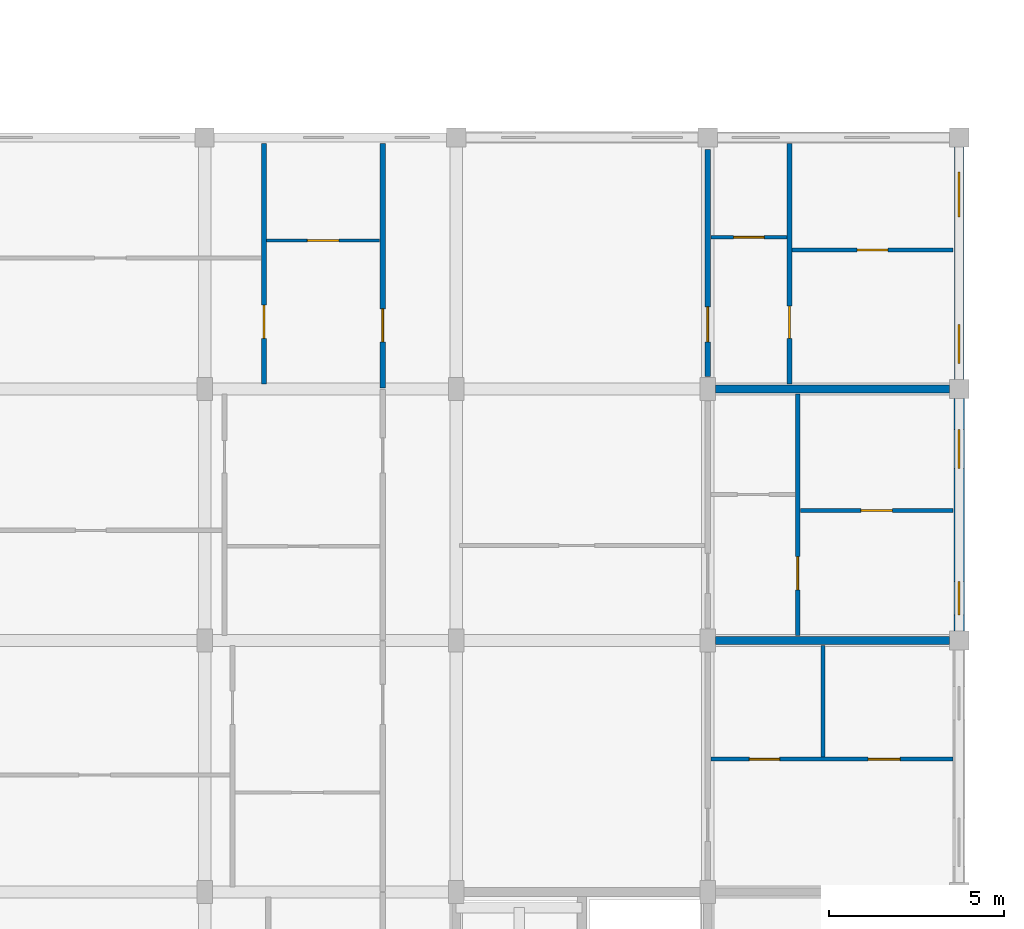
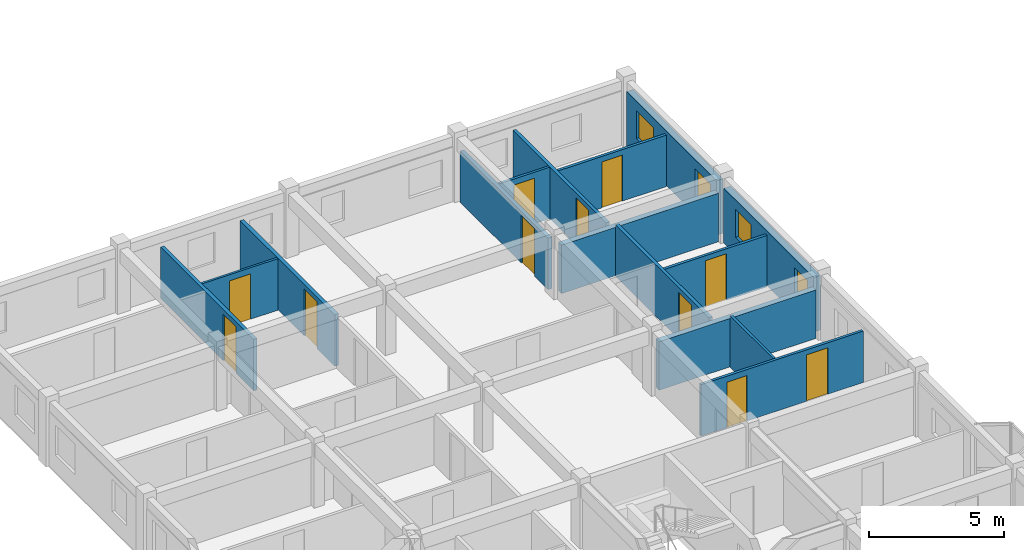
# One storey, part 64 of 77: 15 walls, 11 doors, 4 windows, 15 openings.
"""IFC4 building model written with IfcOpenShell, lengths in metres."""

from ifc_helpers import new_model, si_unit, direction, frame, frame_2d, origin, place, context, subcontext, project, spatial, rectangle, extrude, material, layer, layer_set, type_object, element, fill, save


model = new_model("IFC4")

# Units and contexts
model_context = context("Model", 3, precision=1e-05, world=origin(), true_north=direction((0.0, 1.0)))
body_context = subcontext(model_context, "Body", "Model", "MODEL_VIEW")
ifc_project = project(units=[si_unit("LENGTHUNIT", "METRE"), si_unit("AREAUNIT", "SQUARE_METRE"), si_unit("VOLUMEUNIT", "CUBIC_METRE"), si_unit("PLANEANGLEUNIT", "RADIAN"), si_unit("MASSUNIT", "GRAM", prefix="KILO"), si_unit("THERMODYNAMICTEMPERATUREUNIT", "KELVIN"), si_unit("POWERUNIT", "WATT")], contexts=[model_context])

# Site, building, storey
site_placement = place(None, origin())
site = spatial("IfcSite", under=ifc_project, at=site_placement, CompositionType="ELEMENT")
building_placement = place(site_placement, origin())
building = spatial("IfcBuilding", under=site, at=building_placement, Name="Tavuni Mirador Residences", CompositionType="ELEMENT")
storey_placement = place(building_placement, frame((0.0, 0.0, 17.10009765625)))
storey = spatial("IfcBuildingStorey", under=building, at=storey_placement, Name="L05", CompositionType="ELEMENT", Elevation=17.10009765625)

# Wall, opening, door
ifc_material_1 = material(Name="Precast concrete C40/50", Category="concrete")
ifc_layer_1 = layer(ifc_material_1, 0.1650390625, Name="Precast concrete C40/50", Category="concrete")
ifc_layer_set_1 = layer_set([ifc_layer_1], Name="Precast concrete C40/50")
wall_type_1 = type_object("IfcWallType", Name="WT-CORR165", PredefinedType="PARTITIONING", material=ifc_layer_set_1)
wall_1_placement = place(storey_placement, frame((102.300048828125, 129.6201171875, 0.0), z_axis=(0.0, 0.0, 1.0), x_axis=(0.0, 1.0, 0.0)))
wall_1 = element("IfcWall", 1, at=wall_1_placement, inside=storey, type_object=wall_type_1, Name="CORW-BLK-D-L05-0-06", PredefinedType="PARTITIONING", context=body_context, shape_type="SweptSolid", body=[
    extrude(rectangle(XDim=7.0048828125, YDim=0.1650390625, at=frame_2d((3.50244140625, 0.0))), origin(), (0.0, 0.0, 1.0), 2.324951171875),
])
opening_1_placement = place(wall_1_placement, frame((1.330078125, 0.0, 0.0)))
opening_1 = element("IfcOpeningElement", 2, at=opening_1_placement, cuts=wall_1, Name="Opening D-19", PredefinedType="OPENING", context=body_context, shape_type="SweptSolid", body=[
    extrude(rectangle(XDim=0.93994140625, YDim=2.1201171875, at=frame_2d((0.469970703125, 1.06005859375))), frame((0.0, 0.092529296875, 0.0), z_axis=(0.0, -1.0, 0.0), x_axis=(1.0, 0.0, 0.0)), (0.0, 0.0, 1.0), 0.18505859375),
])
ifc_material_2 = material(Name="Solid core iroko timber", Category="wood")
door_type_1 = type_object("IfcDoorType", Name="DT-FD60-940", OperationType="NOTDEFINED", PredefinedType="DOOR", material=ifc_material_2)
door_1_placement = place(opening_1_placement, origin())
door_1 = element("IfcDoor", 3, at=door_1_placement, inside=storey, type_object=door_type_1, Name="DR-2875", OperationType="SINGLE_SWING_RIGHT", OverallHeight=2.1201171875, OverallWidth=0.93994140625, PredefinedType="DOOR", context=body_context, shape_type="SweptSolid", body=[
    extrude(rectangle(XDim=0.93994140625, YDim=2.1201171875, at=frame_2d((0.469970703125, 1.06005859375))), frame((0.0, 0.02490234375, 0.0), z_axis=(0.0, -1.0, 0.0), x_axis=(1.0, 0.0, 0.0)), (0.0, 0.0, 1.0), 0.050048828125),
])
fill(opening_1, door_1)

wall_2_placement = place(storey_placement, frame((111.60009765625, 129.949951171875, 0.0), z_axis=(0.0, 0.0, 1.0), x_axis=(0.0, 1.0, 0.0)))
wall_2 = element("IfcWall", 4, at=wall_2_placement, inside=storey, type_object=wall_type_1, Name="CORW-BLK-D-L05-1-06", PredefinedType="PARTITIONING", context=body_context, shape_type="SweptSolid", body=[
    extrude(rectangle(XDim=6.5, YDim=0.1650390625, at=frame_2d((3.25, 0.0))), origin(), (0.0, 0.0, 1.0), 2.324951171875),
])
opening_2_placement = place(wall_2_placement, frame((1.0, 0.0, 0.0)))
opening_2 = element("IfcOpeningElement", 5, at=opening_2_placement, cuts=wall_2, Name="Opening D-03", PredefinedType="OPENING", context=body_context, shape_type="SweptSolid", body=[
    extrude(rectangle(XDim=1.0, YDim=2.14990234375, at=frame_2d((0.5, 1.074951171875))), frame((0.0, 0.092529296875, 0.0), z_axis=(0.0, -1.0, 0.0), x_axis=(1.0, 0.0, 0.0)), (0.0, 0.0, 1.0), 0.18505859375),
])
door_type_2 = type_object("IfcDoorType", Name="DT-FD60-1000", OperationType="NOTDEFINED", PredefinedType="DOOR", material=ifc_material_2)
door_2_placement = place(opening_2_placement, origin())
door_2 = element("IfcDoor", 6, at=door_2_placement, inside=storey, type_object=door_type_2, Name="DR-2880", OperationType="SINGLE_SWING_LEFT", OverallHeight=2.14990234375, OverallWidth=1.0, PredefinedType="DOOR", context=body_context, shape_type="SweptSolid", body=[
    extrude(rectangle(XDim=1.0, YDim=2.14990234375, at=frame_2d((0.5, 1.074951171875))), frame((0.0, 0.02490234375, 0.0), z_axis=(0.0, -1.0, 0.0), x_axis=(1.0, 0.0, 0.0)), (0.0, 0.0, 1.0), 0.050048828125),
])
fill(opening_2, door_2)

# Wall, openings, windows
ifc_material_3 = material(Name="Sgraffito lime-rendered precast concrete C40/50", Category="concrete")
ifc_layer_2 = layer(ifc_material_3, 0.27490234375, Name="Sgraffito lime-rendered precast concrete C40/50", Category="concrete")
ifc_layer_set_2 = layer_set([ifc_layer_2], Name="Sgraffito lime-rendered precast concrete C40/50")
wall_type_2 = type_object("IfcWallType", Name="WT-EXT-PC275", PredefinedType="SOLIDWALL", material=ifc_layer_set_2)
wall_3_placement = place(storey_placement, frame((118.800048828125, 129.875, 0.0), z_axis=(0.0, 0.0, 1.0), x_axis=(0.0, 1.0, 0.0)))
wall_3 = element("IfcWall", 7, at=wall_3_placement, inside=storey, type_object=wall_type_2, Name="EW-BLK-D-L05-E06", PredefinedType="SOLIDWALL", context=body_context, shape_type="SweptSolid", body=[
    extrude(rectangle(XDim=6.64990234375, YDim=0.27490234375, at=frame_2d((3.324951171875, 0.0))), origin(), (0.0, 0.0, 1.0), 2.4599609375),
])
opening_3_placement = place(wall_3_placement, frame((0.449951171875, 0.0, 0.780029296875)))
opening_3 = element("IfcOpeningElement", 8, at=opening_3_placement, cuts=wall_3, Name="Opening WN-12", PredefinedType="OPENING", context=body_context, shape_type="SweptSolid", body=[
    extrude(rectangle(XDim=1.1201171875, YDim=1.260009765625, at=frame_2d((0.56005859375, 0.6298828125))), frame((0.0, 0.1474609375, 0.0), z_axis=(0.0, -1.0, 0.0), x_axis=(1.0, 0.0, 0.0)), (0.0, 0.0, 1.0), 0.294921875),
])
opening_4_placement = place(wall_3_placement, frame((4.64990234375, 0.0, 0.780029296875)))
opening_4 = element("IfcOpeningElement", 9, at=opening_4_placement, cuts=wall_3, Name="Opening WN-14", PredefinedType="OPENING", context=body_context, shape_type="SweptSolid", body=[
    extrude(rectangle(XDim=1.280029296875, YDim=1.260009765625, at=frame_2d((0.64013671875, 0.6298828125))), frame((0.0, 0.1474609375, 0.0), z_axis=(0.0, -1.0, 0.0), x_axis=(1.0, 0.0, 0.0)), (0.0, 0.0, 1.0), 0.294921875),
])
ifc_material_4 = material(Name="Laminated solar-control glass", Category="glass")
window_type_1 = type_object("IfcWindowType", Name="WNT-12", PartitioningType="SINGLE_PANEL", PredefinedType="WINDOW", material=ifc_material_4)
window_1_placement = place(opening_3_placement, origin())
window_1 = element("IfcWindow", 10, at=window_1_placement, inside=storey, type_object=window_type_1, Name="WIN-1626", OverallHeight=1.260009765625, OverallWidth=1.1201171875, PartitioningType="SINGLE_PANEL", PredefinedType="WINDOW", context=body_context, shape_type="SweptSolid", body=[
    extrude(rectangle(XDim=1.1201171875, YDim=1.260009765625, at=frame_2d((0.56005859375, 0.6298828125))), frame((0.0, 0.030029296875, 0.0), z_axis=(0.0, -1.0, 0.0), x_axis=(1.0, 0.0, 0.0)), (0.0, 0.0, 1.0), 0.06005859375),
])
fill(opening_3, window_1)
window_type_2 = type_object("IfcWindowType", Name="WNT-14", PartitioningType="SINGLE_PANEL", PredefinedType="WINDOW", material=ifc_material_4)
window_2_placement = place(opening_4_placement, origin())
window_2 = element("IfcWindow", 11, at=window_2_placement, inside=storey, type_object=window_type_2, Name="WIN-1627", OverallHeight=1.260009765625, OverallWidth=1.280029296875, PartitioningType="SINGLE_PANEL", PredefinedType="WINDOW", context=body_context, shape_type="SweptSolid", body=[
    extrude(rectangle(XDim=1.280029296875, YDim=1.260009765625, at=frame_2d((0.64013671875, 0.6298828125))), frame((0.0, 0.030029296875, 0.0), z_axis=(0.0, -1.0, 0.0), x_axis=(1.0, 0.0, 0.0)), (0.0, 0.0, 1.0), 0.06005859375),
])
fill(opening_4, window_2)

ifc_layer_3 = layer(ifc_material_3, 0.2900390625, Name="Sgraffito lime-rendered precast concrete C40/50", Category="concrete")
ifc_layer_set_3 = layer_set([ifc_layer_3], Name="Sgraffito lime-rendered precast concrete C40/50")
wall_type_3 = type_object("IfcWallType", Name="WT-EXT-PC290", PredefinedType="SOLIDWALL", material=ifc_layer_set_3)
wall_4_placement = place(storey_placement, frame((118.800048828125, 122.675048828125, 0.0), z_axis=(0.0, 0.0, 1.0), x_axis=(0.0, 1.0, 0.0)))
wall_4 = element("IfcWall", 12, at=wall_4_placement, inside=storey, type_object=wall_type_3, Name="EW-BLK-D-L05-E05", PredefinedType="SOLIDWALL", context=body_context, shape_type="SweptSolid", body=[
    extrude(rectangle(XDim=6.64990234375, YDim=0.2900390625, at=frame_2d((3.324951171875, 0.0))), origin(), (0.0, 0.0, 1.0), 2.4599609375),
])
opening_5_placement = place(wall_4_placement, frame((0.449951171875, 0.0, 0.780029296875)))
opening_5 = element("IfcOpeningElement", 13, at=opening_5_placement, cuts=wall_4, Name="Opening WN-10", PredefinedType="OPENING", context=body_context, shape_type="SweptSolid", body=[
    extrude(rectangle(XDim=0.9599609375, YDim=1.260009765625, at=frame_2d((0.47998046875, 0.6298828125))), frame((0.0, 0.155029296875, 0.0), z_axis=(0.0, -1.0, 0.0), x_axis=(1.0, 0.0, 0.0)), (0.0, 0.0, 1.0), 0.31005859375),
])
opening_6_placement = place(wall_4_placement, frame((4.64990234375, 0.0, 0.780029296875)))
opening_6 = element("IfcOpeningElement", 14, at=opening_6_placement, cuts=wall_4, Name="Opening WN-12", PredefinedType="OPENING", context=body_context, shape_type="SweptSolid", body=[
    extrude(rectangle(XDim=1.1201171875, YDim=1.260009765625, at=frame_2d((0.56005859375, 0.6298828125))), frame((0.0, 0.155029296875, 0.0), z_axis=(0.0, -1.0, 0.0), x_axis=(1.0, 0.0, 0.0)), (0.0, 0.0, 1.0), 0.31005859375),
])
window_type_3 = type_object("IfcWindowType", Name="WNT-10", PartitioningType="SINGLE_PANEL", PredefinedType="WINDOW", material=ifc_material_4)
window_3_placement = place(opening_5_placement, origin())
window_3 = element("IfcWindow", 15, at=window_3_placement, inside=storey, type_object=window_type_3, Name="WIN-1624", OverallHeight=1.260009765625, OverallWidth=0.9599609375, PartitioningType="SINGLE_PANEL", PredefinedType="WINDOW", context=body_context, shape_type="SweptSolid", body=[
    extrude(rectangle(XDim=0.9599609375, YDim=1.260009765625, at=frame_2d((0.47998046875, 0.6298828125))), frame((0.0, 0.030029296875, 0.0), z_axis=(0.0, -1.0, 0.0), x_axis=(1.0, 0.0, 0.0)), (0.0, 0.0, 1.0), 0.06005859375),
])
fill(opening_5, window_3)
window_4_placement = place(opening_6_placement, origin())
window_4 = element("IfcWindow", 16, at=window_4_placement, inside=storey, type_object=window_type_1, Name="WIN-1625", OverallHeight=1.260009765625, OverallWidth=1.1201171875, PartitioningType="SINGLE_PANEL", PredefinedType="WINDOW", context=body_context, shape_type="SweptSolid", body=[
    extrude(rectangle(XDim=1.1201171875, YDim=1.260009765625, at=frame_2d((0.56005859375, 0.6298828125))), frame((0.0, 0.030029296875, 0.0), z_axis=(0.0, -1.0, 0.0), x_axis=(1.0, 0.0, 0.0)), (0.0, 0.0, 1.0), 0.06005859375),
])
fill(opening_6, window_4)

# Wall, opening, door
ifc_material_5 = material(Name="Acoustic gypsum and concrete block partition", Category="concrete")
ifc_layer_4 = layer(ifc_material_5, 0.094970703125, Name="Acoustic gypsum and concrete block partition", Category="concrete")
ifc_layer_set_4 = layer_set([ifc_layer_4], Name="Acoustic gypsum and concrete block partition")
wall_type_4 = type_object("IfcWallType", Name="WT-PART095", PredefinedType="PARTITIONING", material=ifc_layer_set_4)
wall_5_placement = place(storey_placement, frame((98.969970703125, 133.85009765625, 0.0), z_axis=(0.0, 0.0, 1.0), x_axis=(1.0, 0.0, 0.0)))
wall_5 = element("IfcWall", 17, at=wall_5_placement, inside=storey, type_object=wall_type_4, Name="PW-BLK-D-L05-W06-IN1", PredefinedType="PARTITIONING", context=body_context, shape_type="SweptSolid", body=[
    extrude(rectangle(XDim=3.239990234375, YDim=0.094970703125, at=frame_2d((1.6201171875, 0.0))), origin(), (0.0, 0.0, 1.0), 2.324951171875),
])
opening_7_placement = place(wall_5_placement, frame((1.169921875, 0.0, 0.0)))
opening_7 = element("IfcOpeningElement", 18, at=opening_7_placement, cuts=wall_5, Name="Opening D-09", PredefinedType="OPENING", context=body_context, shape_type="SweptSolid", body=[
    extrude(rectangle(XDim=0.89990234375, YDim=2.050048828125, at=frame_2d((0.449951171875, 1.02490234375))), frame((0.0, 0.0576171875, 0.0), z_axis=(0.0, -1.0, 0.0), x_axis=(1.0, 0.0, 0.0)), (0.0, 0.0, 1.0), 0.114990234375),
])
door_type_3 = type_object("IfcDoorType", Name="DT-WC900", OperationType="NOTDEFINED", PredefinedType="DOOR", material=ifc_material_2)
door_3_placement = place(opening_7_placement, origin())
door_3 = element("IfcDoor", 19, at=door_3_placement, inside=storey, type_object=door_type_3, Name="DR-4504", OperationType="SINGLE_SWING_RIGHT", OverallHeight=2.050048828125, OverallWidth=0.89990234375, PredefinedType="DOOR", context=body_context, shape_type="SweptSolid", body=[
    extrude(rectangle(XDim=0.89990234375, YDim=2.050048828125, at=frame_2d((0.449951171875, 1.02490234375))), frame((0.0, 0.02490234375, 0.0), z_axis=(0.0, -1.0, 0.0), x_axis=(1.0, 0.0, 0.0)), (0.0, 0.0, 1.0), 0.050048828125),
])
fill(opening_7, door_3)

# Wall
ifc_layer_5 = layer(ifc_material_5, 0.10498046875, Name="Acoustic gypsum and concrete block partition", Category="concrete")
ifc_layer_set_5 = layer_set([ifc_layer_5], Name="Acoustic gypsum and concrete block partition")
wall_type_5 = type_object("IfcWallType", Name="WT-PART105", PredefinedType="PARTITIONING", material=ifc_layer_set_5)
wall_6_placement = place(storey_placement, frame((114.89990234375, 119.070068359375, 0.0), z_axis=(0.0, 0.0, 1.0), x_axis=(0.0, 1.0, 0.0)))
element("IfcWall", 20, at=wall_6_placement, inside=storey, type_object=wall_type_5, Name="PW-BLK-D-L05-PF04-V", PredefinedType="PARTITIONING", context=body_context, shape_type="SweptSolid", body=[
    extrude(rectangle(XDim=3.18994140625, YDim=0.10498046875, at=frame_2d((1.594970703125, 0.0))), origin(), (0.0, 0.0, 1.0), 2.324951171875),
])

# Wall, opening, door
wall_7_placement = place(storey_placement, frame((111.68994140625, 133.93994140625, 0.0), z_axis=(0.0, 0.0, 1.0), x_axis=(1.0, 0.0, 0.0)))
wall_7 = element("IfcWall", 21, at=wall_7_placement, inside=storey, type_object=wall_type_5, Name="PW-BLK-D-L05-E06-IN1", PredefinedType="PARTITIONING", context=body_context, shape_type="SweptSolid", body=[
    extrude(rectangle(XDim=2.18017578125, YDim=0.10498046875, at=frame_2d((1.090087890625, 0.0))), origin(), (0.0, 0.0, 1.0), 2.324951171875),
])
opening_8_placement = place(wall_7_placement, frame((0.655029296875, 0.0, 0.0)))
opening_8 = element("IfcOpeningElement", 22, at=opening_8_placement, cuts=wall_7, Name="Opening D-10", PredefinedType="OPENING", context=body_context, shape_type="SweptSolid", body=[
    extrude(rectangle(XDim=0.8701171875, YDim=2.050048828125, at=frame_2d((0.43505859375, 1.02490234375))), frame((0.0, 0.0625, 0.0), z_axis=(0.0, -1.0, 0.0), x_axis=(1.0, 0.0, 0.0)), (0.0, 0.0, 1.0), 0.125),
])
door_type_4 = type_object("IfcDoorType", Name="DT-WC870", OperationType="NOTDEFINED", PredefinedType="DOOR", material=ifc_material_2)
door_4_placement = place(opening_8_placement, origin())
door_4 = element("IfcDoor", 23, at=door_4_placement, inside=storey, type_object=door_type_4, Name="DR-4507", OperationType="SINGLE_SWING_LEFT", OverallHeight=2.050048828125, OverallWidth=0.8701171875, PredefinedType="DOOR", context=body_context, shape_type="SweptSolid", body=[
    extrude(rectangle(XDim=0.8701171875, YDim=2.050048828125, at=frame_2d((0.43505859375, 1.02490234375))), frame((0.0, 0.02490234375, 0.0), z_axis=(0.0, -1.0, 0.0), x_axis=(1.0, 0.0, 0.0)), (0.0, 0.0, 1.0), 0.050048828125),
])
fill(opening_8, door_4)

# Wall, openings, doors
ifc_layer_6 = layer(ifc_material_5, 0.114990234375, Name="Acoustic gypsum and concrete block partition", Category="concrete")
ifc_layer_set_6 = layer_set([ifc_layer_6], Name="Acoustic gypsum and concrete block partition")
wall_type_6 = type_object("IfcWallType", Name="WT-PART115", PredefinedType="PARTITIONING", material=ifc_layer_set_6)
wall_8_placement = place(storey_placement, frame((111.68994140625, 119.0, 0.0), z_axis=(0.0, 0.0, 1.0), x_axis=(1.0, 0.0, 0.0)))
wall_8 = element("IfcWall", 24, at=wall_8_placement, inside=storey, type_object=wall_type_6, Name="PW-BLK-D-L05-PF04-H", PredefinedType="PARTITIONING", context=body_context, shape_type="SweptSolid", body=[
    extrude(rectangle(XDim=6.93505859375, YDim=0.114990234375, at=frame_2d((3.467529296875, 0.0))), origin(), (0.0, 0.0, 1.0), 2.324951171875),
])
opening_9_placement = place(wall_8_placement, frame((1.10009765625, 0.0, 0.0)))
opening_9 = element("IfcOpeningElement", 25, at=opening_9_placement, cuts=wall_8, Name="Opening D-10", PredefinedType="OPENING", context=body_context, shape_type="SweptSolid", body=[
    extrude(rectangle(XDim=0.8701171875, YDim=2.050048828125, at=frame_2d((0.43505859375, 1.02490234375))), frame((0.0, 0.0673828125, 0.0), z_axis=(0.0, -1.0, 0.0), x_axis=(1.0, 0.0, 0.0)), (0.0, 0.0, 1.0), 0.135009765625),
])
opening_10_placement = place(wall_8_placement, frame((4.5, 0.0, 0.0)))
opening_10 = element("IfcOpeningElement", 26, at=opening_10_placement, cuts=wall_8, Name="Opening D-06", PredefinedType="OPENING", context=body_context, shape_type="SweptSolid", body=[
    extrude(rectangle(XDim=0.919921875, YDim=2.10009765625, at=frame_2d((0.4599609375, 1.050048828125))), frame((0.0, 0.0673828125, 0.0), z_axis=(0.0, -1.0, 0.0), x_axis=(1.0, 0.0, 0.0)), (0.0, 0.0, 1.0), 0.135009765625),
])
door_type_5 = type_object("IfcDoorType", Name="DT-INT920", OperationType="NOTDEFINED", PredefinedType="DOOR", material=ifc_material_2)
door_5_placement = place(opening_10_placement, origin())
door_5 = element("IfcDoor", 27, at=door_5_placement, inside=storey, type_object=door_type_5, Name="DR-4495", OperationType="SINGLE_SWING_RIGHT", OverallHeight=2.10009765625, OverallWidth=0.919921875, PredefinedType="DOOR", context=body_context, shape_type="SweptSolid", body=[
    extrude(rectangle(XDim=0.919921875, YDim=2.10009765625, at=frame_2d((0.4599609375, 1.050048828125))), frame((0.0, 0.02490234375, 0.0), z_axis=(0.0, -1.0, 0.0), x_axis=(1.0, 0.0, 0.0)), (0.0, 0.0, 1.0), 0.050048828125),
])
fill(opening_10, door_5)
door_6_placement = place(opening_9_placement, origin())
door_6 = element("IfcDoor", 28, at=door_6_placement, inside=storey, type_object=door_type_4, Name="DR-4494", OperationType="SINGLE_SWING_LEFT", OverallHeight=2.050048828125, OverallWidth=0.8701171875, PredefinedType="DOOR", context=body_context, shape_type="SweptSolid", body=[
    extrude(rectangle(XDim=0.8701171875, YDim=2.050048828125, at=frame_2d((0.43505859375, 1.02490234375))), frame((0.0, 0.02490234375, 0.0), z_axis=(0.0, -1.0, 0.0), x_axis=(1.0, 0.0, 0.0)), (0.0, 0.0, 1.0), 0.050048828125),
])
fill(opening_9, door_6)

# Wall, opening, door
wall_9_placement = place(storey_placement, frame((114.25, 126.1201171875, 0.0), z_axis=(0.0, 0.0, 1.0), x_axis=(1.0, 0.0, 0.0)))
wall_9 = element("IfcWall", 29, at=wall_9_placement, inside=storey, type_object=wall_type_6, Name="PW-BLK-D-L05-E05-OUT", PredefinedType="PARTITIONING", context=body_context, shape_type="SweptSolid", body=[
    extrude(rectangle(XDim=4.375, YDim=0.114990234375, at=frame_2d((2.1875, 0.0))), origin(), (0.0, 0.0, 1.0), 2.324951171875),
])
opening_11_placement = place(wall_9_placement, frame((1.737548828125, 0.0, 0.0)))
opening_11 = element("IfcOpeningElement", 30, at=opening_11_placement, cuts=wall_9, Name="Opening D-07", PredefinedType="OPENING", context=body_context, shape_type="SweptSolid", body=[
    extrude(rectangle(XDim=0.89990234375, YDim=2.10009765625, at=frame_2d((0.449951171875, 1.050048828125))), frame((0.0, 0.0673828125, 0.0), z_axis=(0.0, -1.0, 0.0), x_axis=(1.0, 0.0, 0.0)), (0.0, 0.0, 1.0), 0.135009765625),
])
door_type_6 = type_object("IfcDoorType", Name="DT-BED900", OperationType="NOTDEFINED", PredefinedType="DOOR", material=ifc_material_2)
door_7_placement = place(opening_11_placement, origin())
door_7 = element("IfcDoor", 31, at=door_7_placement, inside=storey, type_object=door_type_6, Name="DR-4500", OperationType="SINGLE_SWING_LEFT", OverallHeight=2.10009765625, OverallWidth=0.89990234375, PredefinedType="DOOR", context=body_context, shape_type="SweptSolid", body=[
    extrude(rectangle(XDim=0.89990234375, YDim=2.10009765625, at=frame_2d((0.449951171875, 1.050048828125))), frame((0.0, 0.02490234375, 0.0), z_axis=(0.0, -1.0, 0.0), x_axis=(1.0, 0.0, 0.0)), (0.0, 0.0, 1.0), 0.050048828125),
])
fill(opening_11, door_7)

wall_10_placement = place(storey_placement, frame((114.010009765625, 133.580078125, 0.0), z_axis=(0.0, 0.0, 1.0), x_axis=(1.0, 0.0, 0.0)))
wall_10 = element("IfcWall", 32, at=wall_10_placement, inside=storey, type_object=wall_type_6, Name="PW-BLK-D-L05-E06-OUT", PredefinedType="PARTITIONING", context=body_context, shape_type="SweptSolid", body=[
    extrude(rectangle(XDim=4.614990234375, YDim=0.114990234375, at=frame_2d((2.3076171875, 0.0))), origin(), (0.0, 0.0, 1.0), 2.324951171875),
])
opening_12_placement = place(wall_10_placement, frame((1.867431640625, 0.0, 0.0)))
opening_12 = element("IfcOpeningElement", 33, at=opening_12_placement, cuts=wall_10, Name="Opening D-08", PredefinedType="OPENING", context=body_context, shape_type="SweptSolid", body=[
    extrude(rectangle(XDim=0.8798828125, YDim=2.080078125, at=frame_2d((0.43994140625, 1.0400390625))), frame((0.0, 0.0673828125, 0.0), z_axis=(0.0, -1.0, 0.0), x_axis=(1.0, 0.0, 0.0)), (0.0, 0.0, 1.0), 0.135009765625),
])
door_type_7 = type_object("IfcDoorType", Name="DT-BED880", OperationType="NOTDEFINED", PredefinedType="DOOR", material=ifc_material_2)
door_8_placement = place(opening_12_placement, origin())
door_8 = element("IfcDoor", 34, at=door_8_placement, inside=storey, type_object=door_type_7, Name="DR-4506", OperationType="SINGLE_SWING_RIGHT", OverallHeight=2.080078125, OverallWidth=0.8798828125, PredefinedType="DOOR", context=body_context, shape_type="SweptSolid", body=[
    extrude(rectangle(XDim=0.8798828125, YDim=2.080078125, at=frame_2d((0.43994140625, 1.0400390625))), frame((0.0, 0.02490234375, 0.0), z_axis=(0.0, -1.0, 0.0), x_axis=(1.0, 0.0, 0.0)), (0.0, 0.0, 1.0), 0.050048828125),
])
fill(opening_12, door_8)

ifc_layer_7 = layer(ifc_material_5, 0.139892578125, Name="Acoustic gypsum and concrete block partition", Category="concrete")
ifc_layer_set_7 = layer_set([ifc_layer_7], Name="Acoustic gypsum and concrete block partition")
wall_type_7 = type_object("IfcWallType", Name="WT-PART140", PredefinedType="PARTITIONING", material=ifc_layer_set_7)
wall_11_placement = place(storey_placement, frame((114.179931640625, 122.5400390625, 0.0), z_axis=(0.0, 0.0, 1.0), x_axis=(0.0, 1.0, 0.0)))
wall_11 = element("IfcWall", 35, at=wall_11_placement, inside=storey, type_object=wall_type_7, Name="PW-BLK-D-L05-E05-MID", PredefinedType="PARTITIONING", context=body_context, shape_type="SweptSolid", body=[
    extrude(rectangle(XDim=6.919921875, YDim=0.139892578125, at=frame_2d((3.4599609375, 0.0))), origin(), (0.0, 0.0, 1.0), 2.324951171875),
])
opening_13_placement = place(wall_11_placement, frame((1.31005859375, 0.0, 0.0)))
opening_13 = element("IfcOpeningElement", 36, at=opening_13_placement, cuts=wall_11, Name="Opening D-05", PredefinedType="OPENING", context=body_context, shape_type="SweptSolid", body=[
    extrude(rectangle(XDim=0.949951171875, YDim=2.10009765625, at=frame_2d((0.47509765625, 1.050048828125))), frame((0.0, 0.080078125, 0.0), z_axis=(0.0, -1.0, 0.0), x_axis=(1.0, 0.0, 0.0)), (0.0, 0.0, 1.0), 0.159912109375),
])
door_type_8 = type_object("IfcDoorType", Name="DT-INT950", OperationType="NOTDEFINED", PredefinedType="DOOR", material=ifc_material_2)
door_9_placement = place(opening_13_placement, origin())
door_9 = element("IfcDoor", 37, at=door_9_placement, inside=storey, type_object=door_type_8, Name="DR-4502", OperationType="SINGLE_SWING_LEFT", OverallHeight=2.10009765625, OverallWidth=0.949951171875, PredefinedType="DOOR", context=body_context, shape_type="SweptSolid", body=[
    extrude(rectangle(XDim=0.949951171875, YDim=2.10009765625, at=frame_2d((0.47509765625, 1.050048828125))), frame((0.0, 0.02490234375, 0.0), z_axis=(0.0, -1.0, 0.0), x_axis=(1.0, 0.0, 0.0)), (0.0, 0.0, 1.0), 0.050048828125),
])
fill(opening_13, door_9)

wall_12_placement = place(storey_placement, frame((113.93994140625, 129.739990234375, 0.0), z_axis=(0.0, 0.0, 1.0), x_axis=(0.0, 1.0, 0.0)))
wall_12 = element("IfcWall", 38, at=wall_12_placement, inside=storey, type_object=wall_type_7, Name="PW-BLK-D-L05-E06-MID", PredefinedType="PARTITIONING", context=body_context, shape_type="SweptSolid", body=[
    extrude(rectangle(XDim=6.885009765625, YDim=0.139892578125, at=frame_2d((3.4423828125, 0.0))), origin(), (0.0, 0.0, 1.0), 2.324951171875),
])
opening_14_placement = place(wall_12_placement, frame((1.31005859375, 0.0, 0.0)))
opening_14 = element("IfcOpeningElement", 39, at=opening_14_placement, cuts=wall_12, Name="Opening D-06", PredefinedType="OPENING", context=body_context, shape_type="SweptSolid", body=[
    extrude(rectangle(XDim=0.919921875, YDim=2.10009765625, at=frame_2d((0.4599609375, 1.050048828125))), frame((0.0, 0.080078125, 0.0), z_axis=(0.0, -1.0, 0.0), x_axis=(1.0, 0.0, 0.0)), (0.0, 0.0, 1.0), 0.159912109375),
])
door_10_placement = place(opening_14_placement, origin())
door_10 = element("IfcDoor", 40, at=door_10_placement, inside=storey, type_object=door_type_5, Name="DR-4508", OperationType="SINGLE_SWING_RIGHT", OverallHeight=2.10009765625, OverallWidth=0.919921875, PredefinedType="DOOR", context=body_context, shape_type="SweptSolid", body=[
    extrude(rectangle(XDim=0.919921875, YDim=2.10009765625, at=frame_2d((0.4599609375, 1.050048828125))), frame((0.0, 0.02490234375, 0.0), z_axis=(0.0, -1.0, 0.0), x_axis=(1.0, 0.0, 0.0)), (0.0, 0.0, 1.0), 0.050048828125),
])
fill(opening_14, door_10)

ifc_layer_8 = layer(ifc_material_5, 0.14990234375, Name="Acoustic gypsum and concrete block partition", Category="concrete")
ifc_layer_set_8 = layer_set([ifc_layer_8], Name="Acoustic gypsum and concrete block partition")
wall_type_8 = type_object("IfcWallType", Name="WT-PART150", PredefinedType="PARTITIONING", material=ifc_layer_set_8)
wall_13_placement = place(storey_placement, frame((98.89990234375, 129.739990234375, 0.0), z_axis=(0.0, 0.0, 1.0), x_axis=(0.0, 1.0, 0.0)))
wall_13 = element("IfcWall", 41, at=wall_13_placement, inside=storey, type_object=wall_type_8, Name="PW-BLK-D-L05-W06-MID", PredefinedType="PARTITIONING", context=body_context, shape_type="SweptSolid", body=[
    extrude(rectangle(XDim=6.885009765625, YDim=0.14990234375, at=frame_2d((3.4423828125, 0.0))), origin(), (0.0, 0.0, 1.0), 2.324951171875),
])
opening_15_placement = place(wall_13_placement, frame((1.31005859375, 0.0, 0.0)))
opening_15 = element("IfcOpeningElement", 42, at=opening_15_placement, cuts=wall_13, Name="Opening D-05", PredefinedType="OPENING", context=body_context, shape_type="SweptSolid", body=[
    extrude(rectangle(XDim=0.949951171875, YDim=2.10009765625, at=frame_2d((0.47509765625, 1.050048828125))), frame((0.0, 0.0849609375, 0.0), z_axis=(0.0, -1.0, 0.0), x_axis=(1.0, 0.0, 0.0)), (0.0, 0.0, 1.0), 0.169921875),
])
door_11_placement = place(opening_15_placement, origin())
door_11 = element("IfcDoor", 43, at=door_11_placement, inside=storey, type_object=door_type_8, Name="DR-4505", OperationType="SINGLE_SWING_LEFT", OverallHeight=2.10009765625, OverallWidth=0.949951171875, PredefinedType="DOOR", context=body_context, shape_type="SweptSolid", body=[
    extrude(rectangle(XDim=0.949951171875, YDim=2.10009765625, at=frame_2d((0.47509765625, 1.050048828125))), frame((0.0, 0.02490234375, 0.0), z_axis=(0.0, -1.0, 0.0), x_axis=(1.0, 0.0, 0.0)), (0.0, 0.0, 1.0), 0.050048828125),
])
fill(opening_15, door_11)

# Walls
ifc_layer_9 = layer(ifc_material_1, 0.235107421875, Name="Precast concrete C40/50", Category="concrete")
ifc_layer_set_9 = layer_set([ifc_layer_9], Name="Precast concrete C40/50")
wall_type_9 = type_object("IfcWallType", Name="WT-XW235", PredefinedType="SOLIDWALL", material=ifc_layer_set_9)
for number, where, z_axis, x_axis, name in (
    (44, (111.824951171875, 122.39990234375, 0.0), (0.0, 0.0, 1.0), (1.0, 0.0, 0.0), "XW-BLK-D-L05-E-05"),
    (45, (111.824951171875, 129.60009765625, 0.0), (0.0, 0.0, 1.0), (1.0, 0.0, 0.0), "XW-BLK-D-L05-E-06"),
):
    element("IfcWall", number, at=place(storey_placement, frame(where, z_axis=z_axis, x_axis=x_axis)), inside=storey, type_object=wall_type_9, Name=name, PredefinedType="SOLIDWALL", context=body_context, shape_type="SweptSolid", body=[
        extrude(rectangle(XDim=6.699951171875, YDim=0.235107421875, at=frame_2d((3.35009765625, 0.0))), origin(), (0.0, 0.0, 1.0), 2.18994140625),
    ])

save(model, "model.ifc")
